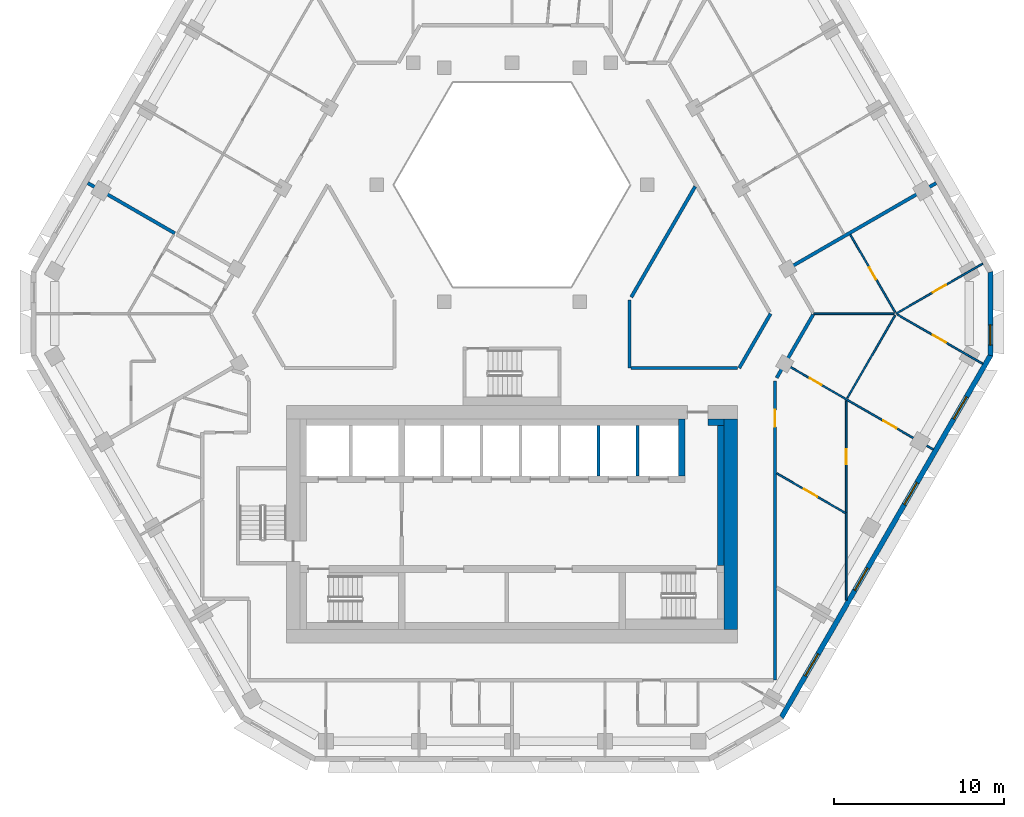
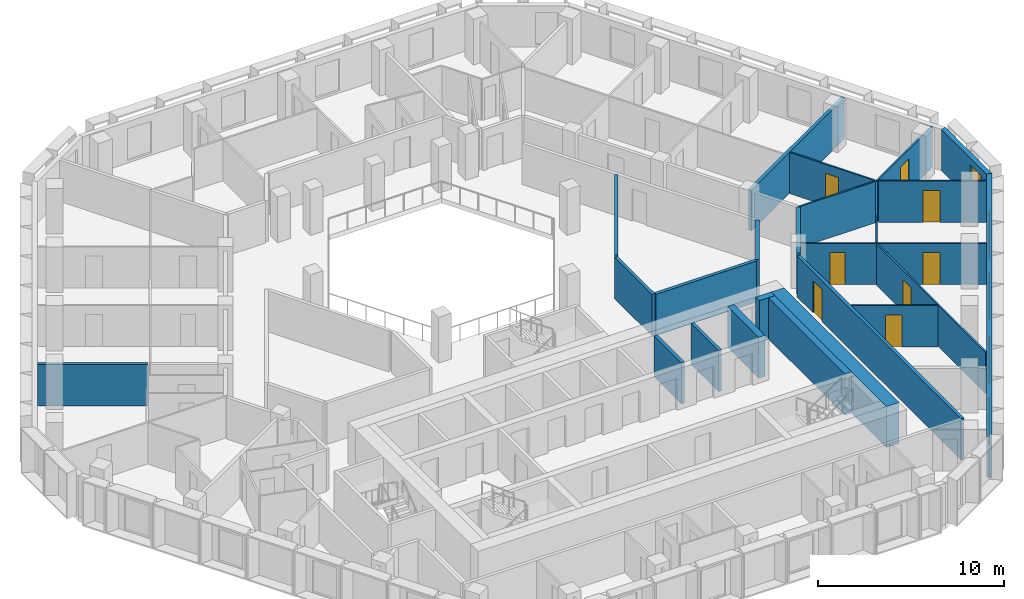
# One storey, part 6 of 15: 24 walls, 8 doors, 5 windows, 13 openings.
"""IFC4 building model written with IfcOpenShell, lengths in metres."""

from ifc_helpers import new_model, si_unit, direction, frame, frame_2d, origin, place, context, subcontext, project, spatial, polyline, rectangle, outline, extrude, material, layer, layer_set, type_object, element, fill, save


model = new_model("IFC4")

# Units and contexts
model_context = context("Model", 3, precision=1e-05, world=origin(), true_north=direction((0.0, 1.0)))
body_context = subcontext(model_context, "Body", "Model", "MODEL_VIEW")
ifc_project = project(units=[si_unit("LENGTHUNIT", "METRE"), si_unit("AREAUNIT", "SQUARE_METRE"), si_unit("VOLUMEUNIT", "CUBIC_METRE"), si_unit("PLANEANGLEUNIT", "RADIAN"), si_unit("MASSUNIT", "GRAM", prefix="KILO")], contexts=[model_context])

# Site, building, storey
site_placement = place(None, origin())
site = spatial("IfcSite", under=ifc_project, at=site_placement, CompositionType="ELEMENT")
building_placement = place(site_placement, origin())
building = spatial("IfcBuilding", under=site, at=building_placement, Name="Beryl Residences", CompositionType="ELEMENT")
storey_placement = place(building_placement, frame((0.0, 0.0, 117.60009765625)))
storey = spatial("IfcBuildingStorey", under=building, at=storey_placement, Name="L35", CompositionType="ELEMENT", Elevation=117.60009765625)

# Wall, openings, windows
ifc_material_1 = material(Name="Composite metal panel with mineral wool insulation")
ifc_layer_1 = layer(ifc_material_1, 0.300048828125)
ifc_layer_set_1 = layer_set([ifc_layer_1], Name="ES1 pale metal composite panel wall 300 mm")
wall_type_1 = type_object("IfcWallType", Name="ES1 pale metal composite panel wall 300 mm", PredefinedType="SOLIDWALL", material=ifc_layer_set_1)
wall_1_placement = place(storey_placement, frame((15.862060546875, -23.425048828125, 0.0), z_axis=(0.0, 0.0, 1.0), x_axis=(0.500017503135, 0.866015298109, 0.0)))
wall_1 = element("IfcWall", 1, at=wall_1_placement, inside=storey, type_object=wall_type_1, Name="ES1 external wall L35 SE", PredefinedType="SOLIDWALL", context=body_context, shape_type="SweptSolid", body=[
    extrude(outline(polyline([(0.0, -0.14990234375), (24.7109375, -0.14990234375), (24.630615234375, 0.14990234375), (0.080322265625, 0.14990234375), (0.0, -0.14990234375)])), origin(), (0.0, 0.0, 1.0), 2.699951171875),
])
opening_1_placement = place(wall_1_placement, frame((2.85693359375, 0.0, 0.14990234375)))
opening_1 = element("IfcOpeningElement", 2, at=opening_1_placement, cuts=wall_1, Name="Opening W1", PredefinedType="OPENING", context=body_context, shape_type="SweptSolid", body=[
    extrude(rectangle(XDim=1.5, YDim=2.10009765625, at=frame_2d((0.75, 1.050048828125))), frame((0.0, 0.159912109375, 0.0), z_axis=(0.0, -1.0, 0.0), x_axis=(1.0, 0.0, 0.0)), (0.0, 0.0, 1.0), 0.320068359375),
])
opening_2_placement = place(wall_1_placement, frame((8.68896484375, 0.0, 0.14990234375)))
opening_2 = element("IfcOpeningElement", 3, at=opening_2_placement, cuts=wall_1, Name="Opening W1", PredefinedType="OPENING", context=body_context, shape_type="SweptSolid", body=[
    extrude(rectangle(XDim=1.5, YDim=2.10009765625, at=frame_2d((0.75, 1.050048828125))), frame((0.0, 0.159912109375, 0.0), z_axis=(0.0, -1.0, 0.0), x_axis=(1.0, 0.0, 0.0)), (0.0, 0.0, 1.0), 0.320068359375),
])
opening_3_placement = place(wall_1_placement, frame((14.52001953125, 0.0, 0.14990234375)))
opening_3 = element("IfcOpeningElement", 4, at=opening_3_placement, cuts=wall_1, Name="Opening W1", PredefinedType="OPENING", context=body_context, shape_type="SweptSolid", body=[
    extrude(rectangle(XDim=1.5, YDim=2.10009765625, at=frame_2d((0.75, 1.050048828125))), frame((0.0, 0.159912109375, 0.0), z_axis=(0.0, -1.0, 0.0), x_axis=(1.0, 0.0, 0.0)), (0.0, 0.0, 1.0), 0.320068359375),
])
opening_4_placement = place(wall_1_placement, frame((20.35107421875, 0.0, 0.14990234375)))
opening_4 = element("IfcOpeningElement", 5, at=opening_4_placement, cuts=wall_1, Name="Opening W1", PredefinedType="OPENING", context=body_context, shape_type="SweptSolid", body=[
    extrude(rectangle(XDim=1.5, YDim=2.10009765625, at=frame_2d((0.75, 1.050048828125))), frame((0.0, 0.159912109375, 0.0), z_axis=(0.0, -1.0, 0.0), x_axis=(1.0, 0.0, 0.0)), (0.0, 0.0, 1.0), 0.320068359375),
])
ifc_material_2 = material(Name="Aluminium and clear glass", Category="aluminium")
window_type_1 = type_object("IfcWindowType", Name="W1 cell window 1500 x 2100 mm", PartitioningType="SINGLE_PANEL", PredefinedType="WINDOW", material=ifc_material_2)
window_1_placement = place(opening_1_placement, origin())
window_1 = element("IfcWindow", 6, at=window_1_placement, inside=storey, type_object=window_type_1, Name="W1 window L35 SE 2", OverallHeight=2.10009765625, OverallWidth=1.5, PartitioningType="SINGLE_PANEL", PredefinedType="WINDOW", context=body_context, shape_type="SweptSolid", body=[
    extrude(rectangle(XDim=1.5, YDim=2.10009765625, at=frame_2d((0.75, 1.050048828125))), frame((0.0, 0.030029296875, 0.0), z_axis=(0.0, -1.0, 0.0), x_axis=(1.0, 0.0, 0.0)), (0.0, 0.0, 1.0), 0.06005859375),
])
fill(opening_1, window_1)
window_2_placement = place(opening_2_placement, origin())
window_2 = element("IfcWindow", 7, at=window_2_placement, inside=storey, type_object=window_type_1, Name="W1 window L35 SE 4", OverallHeight=2.10009765625, OverallWidth=1.5, PartitioningType="SINGLE_PANEL", PredefinedType="WINDOW", context=body_context, shape_type="SweptSolid", body=[
    extrude(rectangle(XDim=1.5, YDim=2.10009765625, at=frame_2d((0.75, 1.050048828125))), frame((0.0, 0.030029296875, 0.0), z_axis=(0.0, -1.0, 0.0), x_axis=(1.0, 0.0, 0.0)), (0.0, 0.0, 1.0), 0.06005859375),
])
fill(opening_2, window_2)
window_3_placement = place(opening_3_placement, origin())
window_3 = element("IfcWindow", 8, at=window_3_placement, inside=storey, type_object=window_type_1, Name="W1 window L35 SE 6", OverallHeight=2.10009765625, OverallWidth=1.5, PartitioningType="SINGLE_PANEL", PredefinedType="WINDOW", context=body_context, shape_type="SweptSolid", body=[
    extrude(rectangle(XDim=1.5, YDim=2.10009765625, at=frame_2d((0.75, 1.050048828125))), frame((0.0, 0.030029296875, 0.0), z_axis=(0.0, -1.0, 0.0), x_axis=(1.0, 0.0, 0.0)), (0.0, 0.0, 1.0), 0.06005859375),
])
fill(opening_3, window_3)
window_4_placement = place(opening_4_placement, origin())
window_4 = element("IfcWindow", 9, at=window_4_placement, inside=storey, type_object=window_type_1, Name="W1 window L35 SE 8", OverallHeight=2.10009765625, OverallWidth=1.5, PartitioningType="SINGLE_PANEL", PredefinedType="WINDOW", context=body_context, shape_type="SweptSolid", body=[
    extrude(rectangle(XDim=1.5, YDim=2.10009765625, at=frame_2d((0.75, 1.050048828125))), frame((0.0, 0.030029296875, 0.0), z_axis=(0.0, -1.0, 0.0), x_axis=(1.0, 0.0, 0.0)), (0.0, 0.0, 1.0), 0.06005859375),
])
fill(opening_4, window_4)

# Wall, opening, window
wall_2_placement = place(storey_placement, frame((28.197998046875, -2.10009765625, 0.0), z_axis=(0.0, 0.0, 1.0), x_axis=(0.0, 1.0, 0.0)))
wall_2 = element("IfcWall", 10, at=wall_2_placement, inside=storey, type_object=wall_type_1, Name="ES1 external wall L35 SE-NE", PredefinedType="SOLIDWALL", context=body_context, shape_type="SweptSolid", body=[
    extrude(outline(polyline([(0.0, -0.14990234375), (5.0, -0.14990234375), (4.919677734375, 0.14990234375), (0.080322265625, 0.14990234375), (0.0, -0.14990234375)])), origin(), (0.0, 0.0, 1.0), 2.699951171875),
])
opening_5_placement = place(wall_2_placement, frame((0.64990234375, 0.0, 0.14990234375)))
opening_5 = element("IfcOpeningElement", 11, at=opening_5_placement, cuts=wall_2, Name="Opening W2", PredefinedType="OPENING", context=body_context, shape_type="SweptSolid", body=[
    extrude(rectangle(XDim=1.199951171875, YDim=2.10009765625, at=frame_2d((0.60009765625, 1.050048828125))), frame((0.0, 0.159912109375, 0.0), z_axis=(0.0, -1.0, 0.0), x_axis=(1.0, 0.0, 0.0)), (0.0, 0.0, 1.0), 0.320068359375),
])
ifc_material_3 = material(Name="Aluminium and clear glass", Category="aluminium")
window_type_2 = type_object("IfcWindowType", Name="W2 chamfer window 1200 x 2100 mm", PartitioningType="SINGLE_PANEL", PredefinedType="WINDOW", material=ifc_material_3)
window_5_placement = place(opening_5_placement, origin())
window_5 = element("IfcWindow", 12, at=window_5_placement, inside=storey, type_object=window_type_2, Name="W2 window L35 SE-NE 1", OverallHeight=2.10009765625, OverallWidth=1.199951171875, PartitioningType="SINGLE_PANEL", PredefinedType="WINDOW", context=body_context, shape_type="SweptSolid", body=[
    extrude(rectangle(XDim=1.199951171875, YDim=2.10009765625, at=frame_2d((0.60009765625, 1.050048828125))), frame((0.0, 0.030029296875, 0.0), z_axis=(0.0, -1.0, 0.0), x_axis=(1.0, 0.0, 0.0)), (0.0, 0.0, 1.0), 0.06005859375),
])
fill(opening_5, window_5)

# Wall, opening, door
ifc_material_4 = material(Name="Gypsum board partition on steel studs", Category="steel")
ifc_layer_2 = layer(ifc_material_4, 0.10009765625)
ifc_layer_set_2 = layer_set([ifc_layer_2], Name="PT1 partition 100 mm gypsum board on steel studs")
wall_type_2 = type_object("IfcWallType", Name="PT1 partition 100 mm gypsum board on steel studs", PredefinedType="PARTITIONING", material=ifc_layer_set_2)
wall_3_placement = place(storey_placement, frame((19.93994140625, 5.06298828125, 0.0), z_axis=(0.0, 0.0, 1.0), x_axis=(0.500025085526, -0.866010920165, 0.0)))
wall_3 = element("IfcWall", 13, at=wall_3_placement, inside=storey, type_object=wall_type_2, Name="Wall PT1 L35 004", PredefinedType="PARTITIONING", context=body_context, shape_type="SweptSolid", body=[
    extrude(rectangle(XDim=5.283935546875, YDim=0.10009765625, at=frame_2d((2.64208984375, 0.0))), origin(), (0.0, 0.0, 1.0), 2.699951171875),
])
opening_6_placement = place(wall_3_placement, frame((2.241943359375, 0.0, 0.0)))
opening_6 = element("IfcOpeningElement", 14, at=opening_6_placement, cuts=wall_3, Name="Opening D1218", PredefinedType="OPENING", context=body_context, shape_type="SweptSolid", body=[
    extrude(rectangle(XDim=0.800048828125, YDim=2.10009765625, at=frame_2d((0.39990234375, 1.050048828125))), frame((0.0, 0.06005859375, 0.0), z_axis=(0.0, -1.0, 0.0), x_axis=(1.0, 0.0, 0.0)), (0.0, 0.0, 1.0), 0.1201171875),
])
ifc_material_5 = material(Name="Timber door leaf", Category="wood")
door_type_1 = type_object("IfcDoorType", Name="D3 bathroom door 800 x 2100 mm", OperationType="SINGLE_SWING_LEFT", PredefinedType="DOOR", material=ifc_material_5)
door_1_placement = place(opening_6_placement, origin())
door_1 = element("IfcDoor", 15, at=door_1_placement, inside=storey, type_object=door_type_1, Name="Door D1218 L35 001", OperationType="SINGLE_SWING_RIGHT", OverallHeight=2.10009765625, OverallWidth=0.800048828125, PredefinedType="DOOR", context=body_context, shape_type="SweptSolid", body=[
    extrude(rectangle(XDim=0.800048828125, YDim=2.10009765625, at=frame_2d((0.39990234375, 1.050048828125))), frame((0.0, 0.02490234375, 0.0), z_axis=(0.0, -1.0, 0.0), x_axis=(1.0, 0.0, 0.0)), (0.0, 0.0, 1.0), 0.050048828125),
])
fill(opening_6, door_1)

wall_4_placement = place(storey_placement, frame((15.60009765625, -9.008056640625, 0.0), z_axis=(0.0, 0.0, 1.0), x_axis=(0.866049960314, -0.49995746443, 0.0)))
wall_4 = element("IfcWall", 16, at=wall_4_placement, inside=storey, type_object=wall_type_2, Name="Wall PT1 L35 016", PredefinedType="PARTITIONING", context=body_context, shape_type="SweptSolid", body=[
    extrude(rectangle(XDim=4.67626953125, YDim=0.10009765625, at=frame_2d((2.338134765625, 0.0))), origin(), (0.0, 0.0, 1.0), 2.699951171875),
])
opening_7_placement = place(wall_4_placement, frame((1.85888671875, 0.0, 0.0)))
opening_7 = element("IfcOpeningElement", 17, at=opening_7_placement, cuts=wall_4, Name="Opening D1213", PredefinedType="OPENING", context=body_context, shape_type="SweptSolid", body=[
    extrude(rectangle(XDim=0.89990234375, YDim=2.10009765625, at=frame_2d((0.449951171875, 1.050048828125))), frame((0.0, 0.06005859375, 0.0), z_axis=(0.0, -1.0, 0.0), x_axis=(1.0, 0.0, 0.0)), (0.0, 0.0, 1.0), 0.1201171875),
])
ifc_material_6 = material(Name="Timber door leaf", Category="wood")
door_type_2 = type_object("IfcDoorType", Name="D2 room door 900 x 2100 mm", OperationType="SINGLE_SWING_LEFT", PredefinedType="DOOR", material=ifc_material_6)
door_2_placement = place(opening_7_placement, origin())
door_2 = element("IfcDoor", 18, at=door_2_placement, inside=storey, type_object=door_type_2, Name="Door D1213 L35 001", OperationType="SINGLE_SWING_LEFT", OverallHeight=2.10009765625, OverallWidth=0.89990234375, PredefinedType="DOOR", context=body_context, shape_type="SweptSolid", body=[
    extrude(rectangle(XDim=0.89990234375, YDim=2.10009765625, at=frame_2d((0.449951171875, 1.050048828125))), frame((0.0, 0.02490234375, 0.0), z_axis=(0.0, -1.0, 0.0), x_axis=(1.0, 0.0, 0.0)), (0.0, 0.0, 1.0), 0.050048828125),
])
fill(opening_7, door_2)

# Wall, openings, doors
wall_5_placement = place(storey_placement, frame((16.1650390625, -2.60107421875, 0.0), z_axis=(0.0, 0.0, 1.0), x_axis=(0.866016855193, -0.500014806302, 0.0)))
wall_5 = element("IfcWall", 19, at=wall_5_placement, inside=storey, type_object=wall_type_2, Name="Wall PT1 L35 018", PredefinedType="PARTITIONING", context=body_context, shape_type="SweptSolid", body=[
    extrude(rectangle(XDim=9.999755859375, YDim=0.10009765625, at=frame_2d((5.0, 0.0))), origin(), (0.0, 0.0, 1.0), 2.699951171875),
])
opening_8_placement = place(wall_5_placement, frame((1.60009765625, 0.0, 0.0)))
opening_8 = element("IfcOpeningElement", 20, at=opening_8_placement, cuts=wall_5, Name="Opening D1214", PredefinedType="OPENING", context=body_context, shape_type="SweptSolid", body=[
    extrude(rectangle(XDim=0.800048828125, YDim=2.10009765625, at=frame_2d((0.39990234375, 1.050048828125))), frame((0.0, 0.06005859375, 0.0), z_axis=(0.0, -1.0, 0.0), x_axis=(1.0, 0.0, 0.0)), (0.0, 0.0, 1.0), 0.1201171875),
])
opening_9_placement = place(wall_5_placement, frame((6.60009765625, 0.0, 0.0)))
opening_9 = element("IfcOpeningElement", 21, at=opening_9_placement, cuts=wall_5, Name="Opening D1215", PredefinedType="OPENING", context=body_context, shape_type="SweptSolid", body=[
    extrude(rectangle(XDim=0.89990234375, YDim=2.10009765625, at=frame_2d((0.449951171875, 1.050048828125))), frame((0.0, 0.06005859375, 0.0), z_axis=(0.0, -1.0, 0.0), x_axis=(1.0, 0.0, 0.0)), (0.0, 0.0, 1.0), 0.1201171875),
])
door_3_placement = place(opening_9_placement, origin())
door_3 = element("IfcDoor", 22, at=door_3_placement, inside=storey, type_object=door_type_2, Name="Door D1215 L35 001", OperationType="SINGLE_SWING_LEFT", OverallHeight=2.10009765625, OverallWidth=0.89990234375, PredefinedType="DOOR", context=body_context, shape_type="SweptSolid", body=[
    extrude(rectangle(XDim=0.89990234375, YDim=2.10009765625, at=frame_2d((0.449951171875, 1.050048828125))), frame((0.0, 0.02490234375, 0.0), z_axis=(0.0, -1.0, 0.0), x_axis=(1.0, 0.0, 0.0)), (0.0, 0.0, 1.0), 0.050048828125),
])
fill(opening_9, door_3)
door_4_placement = place(opening_8_placement, origin())
door_4 = element("IfcDoor", 23, at=door_4_placement, inside=storey, type_object=door_type_1, Name="Door D1214 L35 001", OperationType="SINGLE_SWING_RIGHT", OverallHeight=2.10009765625, OverallWidth=0.800048828125, PredefinedType="DOOR", context=body_context, shape_type="SweptSolid", body=[
    extrude(rectangle(XDim=0.800048828125, YDim=2.10009765625, at=frame_2d((0.39990234375, 1.050048828125))), frame((0.0, 0.02490234375, 0.0), z_axis=(0.0, -1.0, 0.0), x_axis=(1.0, 0.0, 0.0)), (0.0, 0.0, 1.0), 0.050048828125),
])
fill(opening_8, door_4)

# Wall, opening, door
wall_6_placement = place(storey_placement, frame((22.718017578125, 0.34912109375, 0.0), z_axis=(0.0, 0.0, 1.0), x_axis=(0.86601454848, -0.500018801468, 0.0)))
wall_6 = element("IfcWall", 24, at=wall_6_placement, inside=storey, type_object=wall_type_2, Name="Wall PT1 L35 019", PredefinedType="PARTITIONING", context=body_context, shape_type="SweptSolid", body=[
    extrude(rectangle(XDim=5.800048828125, YDim=0.10009765625, at=frame_2d((2.89990234375, 0.0))), origin(), (0.0, 0.0, 1.0), 2.699951171875),
])
opening_10_placement = place(wall_6_placement, frame((2.39990234375, 0.0, 0.0)))
opening_10 = element("IfcOpeningElement", 25, at=opening_10_placement, cuts=wall_6, Name="Opening D1216", PredefinedType="OPENING", context=body_context, shape_type="SweptSolid", body=[
    extrude(rectangle(XDim=0.89990234375, YDim=2.10009765625, at=frame_2d((0.449951171875, 1.050048828125))), frame((0.0, 0.06005859375, 0.0), z_axis=(0.0, -1.0, 0.0), x_axis=(1.0, 0.0, 0.0)), (0.0, 0.0, 1.0), 0.1201171875),
])
door_5_placement = place(opening_10_placement, origin())
door_5 = element("IfcDoor", 26, at=door_5_placement, inside=storey, type_object=door_type_2, Name="Door D1216 L35 001", OperationType="SINGLE_SWING_RIGHT", OverallHeight=2.10009765625, OverallWidth=0.89990234375, PredefinedType="DOOR", context=body_context, shape_type="SweptSolid", body=[
    extrude(rectangle(XDim=0.89990234375, YDim=2.10009765625, at=frame_2d((0.449951171875, 1.050048828125))), frame((0.0, 0.02490234375, 0.0), z_axis=(0.0, -1.0, 0.0), x_axis=(1.0, 0.0, 0.0)), (0.0, 0.0, 1.0), 0.050048828125),
])
fill(opening_10, door_5)

# Walls
wall_7_placement = place(storey_placement, frame((17.781982421875, 0.40087890625, 0.0), z_axis=(0.0, 0.0, 1.0), x_axis=(1.0, 0.0, 0.0)))
element("IfcWall", 27, at=wall_7_placement, inside=storey, type_object=wall_type_2, Name="Wall PT1 L35 024", PredefinedType="PARTITIONING", context=body_context, shape_type="SweptSolid", body=[
    extrude(rectangle(XDim=4.7470703125, YDim=0.10009765625, at=frame_2d((2.37353515625, 0.0))), origin(), (0.0, 0.0, 1.0), 2.699951171875),
])
wall_8_placement = place(storey_placement, frame((19.764892578125, -4.56396484375, 0.0), z_axis=(0.0, 0.0, 1.0), x_axis=(0.500060182325, 0.865990654714, 0.0)))
element("IfcWall", 28, at=wall_8_placement, inside=storey, type_object=wall_type_2, Name="Wall PT1 L35 029", PredefinedType="PARTITIONING", context=body_context, shape_type="SweptSolid", body=[
    extrude(rectangle(XDim=5.631591796875, YDim=0.10009765625, at=frame_2d((2.81591796875, 0.0))), origin(), (0.0, 0.0, 1.0), 2.699951171875),
])

# Wall, opening, door
wall_9_placement = place(storey_placement, frame((19.699951171875, -16.47705078125, 0.0), z_axis=(0.0, 0.0, 1.0), x_axis=(0.0, 1.0, 0.0)))
wall_9 = element("IfcWall", 29, at=wall_9_placement, inside=storey, type_object=wall_type_2, Name="Wall PT1 L35 042", PredefinedType="PARTITIONING", context=body_context, shape_type="SweptSolid", body=[
    extrude(rectangle(XDim=11.741943359375, YDim=0.10009765625, at=frame_2d((5.87109375, 0.0))), origin(), (0.0, 0.0, 1.0), 2.699951171875),
])
opening_11_placement = place(wall_9_placement, frame((7.990966796875, 0.0, 0.0)))
opening_11 = element("IfcOpeningElement", 30, at=opening_11_placement, cuts=wall_9, Name="Opening D1212", PredefinedType="OPENING", context=body_context, shape_type="SweptSolid", body=[
    extrude(rectangle(XDim=0.89990234375, YDim=2.10009765625, at=frame_2d((0.449951171875, 1.050048828125))), frame((0.0, 0.06005859375, 0.0), z_axis=(0.0, -1.0, 0.0), x_axis=(1.0, 0.0, 0.0)), (0.0, 0.0, 1.0), 0.1201171875),
])
door_6_placement = place(opening_11_placement, origin())
door_6 = element("IfcDoor", 31, at=door_6_placement, inside=storey, type_object=door_type_2, Name="Door D1212 L35 001", OperationType="SINGLE_SWING_RIGHT", OverallHeight=2.10009765625, OverallWidth=0.89990234375, PredefinedType="DOOR", context=body_context, shape_type="SweptSolid", body=[
    extrude(rectangle(XDim=0.89990234375, YDim=2.10009765625, at=frame_2d((0.449951171875, 1.050048828125))), frame((0.0, 0.02490234375, 0.0), z_axis=(0.0, -1.0, 0.0), x_axis=(1.0, 0.0, 0.0)), (0.0, 0.0, 1.0), 0.050048828125),
])
fill(opening_11, door_6)

wall_10_placement = place(storey_placement, frame((22.634033203125, 0.40087890625, 0.0), z_axis=(0.0, 0.0, 1.0), x_axis=(0.86601325737, 0.500021037617, 0.0)))
wall_10 = element("IfcWall", 32, at=wall_10_placement, inside=storey, type_object=wall_type_2, Name="Wall PT1 L35 049", PredefinedType="PARTITIONING", context=body_context, shape_type="SweptSolid", body=[
    extrude(rectangle(XDim=5.898193359375, YDim=0.10009765625, at=frame_2d((2.94921875, 0.0))), origin(), (0.0, 0.0, 1.0), 2.699951171875),
])
opening_12_placement = place(wall_10_placement, frame((2.4990234375, 0.0, 0.0)))
opening_12 = element("IfcOpeningElement", 33, at=opening_12_placement, cuts=wall_10, Name="Opening D1217", PredefinedType="OPENING", context=body_context, shape_type="SweptSolid", body=[
    extrude(rectangle(XDim=0.89990234375, YDim=2.10009765625, at=frame_2d((0.449951171875, 1.050048828125))), frame((0.0, 0.06005859375, 0.0), z_axis=(0.0, -1.0, 0.0), x_axis=(1.0, 0.0, 0.0)), (0.0, 0.0, 1.0), 0.1201171875),
])
door_7_placement = place(opening_12_placement, origin())
door_7 = element("IfcDoor", 34, at=door_7_placement, inside=storey, type_object=door_type_2, Name="Door D1217 L35 001", OperationType="SINGLE_SWING_LEFT", OverallHeight=2.10009765625, OverallWidth=0.89990234375, PredefinedType="DOOR", context=body_context, shape_type="SweptSolid", body=[
    extrude(rectangle(XDim=0.89990234375, YDim=2.10009765625, at=frame_2d((0.449951171875, 1.050048828125))), frame((0.0, 0.02490234375, 0.0), z_axis=(0.0, -1.0, 0.0), x_axis=(1.0, 0.0, 0.0)), (0.0, 0.0, 1.0), 0.050048828125),
])
fill(opening_12, door_7)

# Walls
ifc_material_7 = material(Name="Concrete masonry", Category="masonry")
ifc_layer_3 = layer(ifc_material_7, 0.39990234375)
ifc_layer_set_3 = layer_set([ifc_layer_3], Name="PT13-400 lobby wall 400 mm")
wall_type_3 = type_object("IfcWallType", Name="PT13-400 lobby wall 400 mm", PredefinedType="PARTITIONING", material=ifc_layer_set_3)
wall_11_placement = place(storey_placement, frame((11.550048828125, -6.0, 0.0), z_axis=(0.0, 0.0, 1.0), x_axis=(1.0, 0.0, 0.0)))
element("IfcWall", 35, at=wall_11_placement, inside=storey, type_object=wall_type_3, Name="Lobby wall 22", PredefinedType="PARTITIONING", context=body_context, shape_type="SweptSolid", body=[
    extrude(rectangle(XDim=0.949951171875, YDim=0.39990234375, at=frame_2d((0.47509765625, 0.0))), origin(), (0.0, 0.0, 1.0), 2.699951171875),
])
wall_12_placement = place(storey_placement, frame((12.300048828125, -14.449951171875, 0.0), z_axis=(0.0, 0.0, 1.0), x_axis=(0.0, 1.0, 0.0)))
element("IfcWall", 36, at=wall_12_placement, inside=storey, type_object=wall_type_3, Name="Lobby wall 24", PredefinedType="PARTITIONING", context=body_context, shape_type="SweptSolid", body=[
    extrude(rectangle(XDim=8.25, YDim=0.39990234375, at=frame_2d((4.125, 0.0))), origin(), (0.0, 0.0, 1.0), 2.699951171875),
])
ifc_material_8 = material(Name="Acoustic double stud gypsum board wall")
ifc_layer_4 = layer(ifc_material_8, 0.199951171875)
ifc_layer_set_4 = layer_set([ifc_layer_4], Name="PT3 party wall 200 mm acoustic double stud")
wall_type_4 = type_object("IfcWallType", Name="PT3 party wall 200 mm acoustic double stud", PredefinedType="PARTITIONING", material=ifc_layer_set_4)
wall_13_placement = place(storey_placement, frame((-24.9990234375, 8.10009765625, 0.0), z_axis=(0.0, 0.0, 1.0), x_axis=(0.866013897511, -0.50001992892, 0.0)))
element("IfcWall", 37, at=wall_13_placement, inside=storey, type_object=wall_type_4, Name="Wall PT3 L35 005", PredefinedType="PARTITIONING", context=body_context, shape_type="SweptSolid", body=[
    extrude(rectangle(XDim=5.920166015625, YDim=0.199951171875, at=frame_2d((2.9599609375, 0.0))), origin(), (0.0, 0.0, 1.0), 2.699951171875),
])
wall_14_placement = place(storey_placement, frame((16.339111328125, 3.10009765625, 0.0), z_axis=(0.0, 0.0, 1.0), x_axis=(0.866016855193, 0.500014806302, 0.0)))
element("IfcWall", 38, at=wall_14_placement, inside=storey, type_object=wall_type_4, Name="Wall PT3 L35 011", PredefinedType="PARTITIONING", context=body_context, shape_type="SweptSolid", body=[
    extrude(rectangle(XDim=9.999755859375, YDim=0.199951171875, at=frame_2d((5.0, 0.0))), origin(), (0.0, 0.0, 1.0), 2.699951171875),
])
ifc_material_9 = material(Name="Double stud gypsum board wall")
ifc_layer_5 = layer(ifc_material_9, 0.199951171875)
ifc_layer_set_5 = layer_set([ifc_layer_5], Name="PT4 corridor wall 200 mm double stud")
wall_type_5 = type_object("IfcWallType", Name="PT4 corridor wall 200 mm double stud", PredefinedType="PARTITIONING", material=ifc_layer_set_5)
wall_15_placement = place(storey_placement, frame((7.028076171875, -2.800048828125, 0.0), z_axis=(0.0, 0.0, 1.0), x_axis=(1.0, 0.0, 0.0)))
element("IfcWall", 39, at=wall_15_placement, inside=storey, type_object=wall_type_5, Name="Wall PT4 L35 014", PredefinedType="PARTITIONING", context=body_context, shape_type="SweptSolid", body=[
    extrude(rectangle(XDim=6.25, YDim=0.199951171875, at=frame_2d((3.125, 0.0))), origin(), (0.0, 0.0, 1.0), 2.699951171875),
])
wall_16_placement = place(storey_placement, frame((7.028076171875, 1.373046875, 0.0), z_axis=(0.0, 0.0, 1.0), x_axis=(0.499954271211, 0.866051803703, 0.0)))
element("IfcWall", 40, at=wall_16_placement, inside=storey, type_object=wall_type_5, Name="Wall PT4 L35 018", PredefinedType="PARTITIONING", context=body_context, shape_type="SweptSolid", body=[
    extrude(rectangle(XDim=7.536376953125, YDim=0.199951171875, at=frame_2d((3.76806640625, 0.0))), origin(), (0.0, 0.0, 1.0), 2.699951171875),
])
wall_17_placement = place(storey_placement, frame((13.39404296875, -2.800048828125, 0.0), z_axis=(0.0, 0.0, 1.0), x_axis=(0.499968324138, 0.866043691079, 0.0)))
element("IfcWall", 41, at=wall_17_placement, inside=storey, type_object=wall_type_5, Name="Wall PT4 L35 019", PredefinedType="PARTITIONING", context=body_context, shape_type="SweptSolid", body=[
    extrude(rectangle(XDim=3.696044921875, YDim=0.199951171875, at=frame_2d((1.84814453125, 0.0))), origin(), (0.0, 0.0, 1.0), 2.699951171875),
])
wall_18_placement = place(storey_placement, frame((15.60009765625, -3.37890625, 0.0), z_axis=(0.0, 0.0, 1.0), x_axis=(0.499882759391, 0.866093082101, 0.0)))
element("IfcWall", 42, at=wall_18_placement, inside=storey, type_object=wall_type_5, Name="Wall PT4 L35 020", PredefinedType="PARTITIONING", context=body_context, shape_type="SweptSolid", body=[
    extrude(rectangle(XDim=4.306640625, YDim=0.199951171875, at=frame_2d((2.1533203125, 0.0))), origin(), (0.0, 0.0, 1.0), 2.699951171875),
])
wall_19_placement = place(storey_placement, frame((6.927978515625, -2.800048828125, 0.0), z_axis=(0.0, 0.0, 1.0), x_axis=(0.0, 1.0, 0.0)))
element("IfcWall", 43, at=wall_19_placement, inside=storey, type_object=wall_type_5, Name="Wall PT4 L35 024", PredefinedType="PARTITIONING", context=body_context, shape_type="SweptSolid", body=[
    extrude(rectangle(XDim=4.0, YDim=0.199951171875, at=frame_2d((2.0, 0.0))), origin(), (0.0, 0.0, 1.0), 2.699951171875),
])

# Wall, opening, door
wall_20_placement = place(storey_placement, frame((15.5, -21.198974609375, 0.0), z_axis=(0.0, 0.0, 1.0), x_axis=(0.0, 1.0, 0.0)))
wall_20 = element("IfcWall", 44, at=wall_20_placement, inside=storey, type_object=wall_type_5, Name="Wall PT4 L35 025", PredefinedType="PARTITIONING", context=body_context, shape_type="SweptSolid", body=[
    extrude(rectangle(XDim=17.64697265625, YDim=0.199951171875, at=frame_2d((8.823486328125, 0.0))), origin(), (0.0, 0.0, 1.0), 2.699951171875),
])
opening_13_placement = place(wall_20_placement, frame((14.93408203125, 0.0, 0.0)))
opening_13 = element("IfcOpeningElement", 45, at=opening_13_placement, cuts=wall_20, Name="Opening D1211", PredefinedType="OPENING", context=body_context, shape_type="SweptSolid", body=[
    extrude(rectangle(XDim=1.0, YDim=2.10009765625, at=frame_2d((0.5, 1.050048828125))), frame((0.0, 0.10986328125, 0.0), z_axis=(0.0, -1.0, 0.0), x_axis=(1.0, 0.0, 0.0)), (0.0, 0.0, 1.0), 0.219970703125),
])
ifc_material_10 = material(Name="Timber door leaf", Category="wood")
door_type_3 = type_object("IfcDoorType", Name="D1 flat entrance door 1000 x 2100 mm", OperationType="SINGLE_SWING_LEFT", PredefinedType="DOOR", material=ifc_material_10)
door_8_placement = place(opening_13_placement, origin())
door_8 = element("IfcDoor", 46, at=door_8_placement, inside=storey, type_object=door_type_3, Name="Door D1211 L35 001", OperationType="SINGLE_SWING_LEFT", OverallHeight=2.10009765625, OverallWidth=1.0, PredefinedType="DOOR", context=body_context, shape_type="SweptSolid", body=[
    extrude(rectangle(XDim=1.0, YDim=2.10009765625, at=frame_2d((0.5, 1.050048828125))), frame((0.0, 0.02490234375, 0.0), z_axis=(0.0, -1.0, 0.0), x_axis=(1.0, 0.0, 0.0)), (0.0, 0.0, 1.0), 0.050048828125),
])
fill(opening_13, door_8)

# Walls
ifc_material_11 = material(Name="Concrete C40/50", Category="concrete")
ifc_layer_6 = layer(ifc_material_11, 0.199951171875)
ifc_layer_set_6 = layer_set([ifc_layer_6], Name="PT6 lift shaft wall 200 mm reinforced concrete C40/50")
wall_type_6 = type_object("IfcWallType", Name="PT6 lift shaft wall 200 mm reinforced concrete C40/50", PredefinedType="SOLIDWALL", material=ifc_layer_set_6)
for number, where, z_axis, x_axis, name in (
    (47, (5.10009765625, -9.14990234375, 0.0), (0.0, 0.0, 1.0), (0.0, 1.0, 0.0), "Lift shaft wall 19"),
    (48, (7.39990234375, -9.14990234375, 0.0), (0.0, 0.0, 1.0), (0.0, 1.0, 0.0), "Lift shaft wall 21"),
):
    element("IfcWall", number, at=place(storey_placement, frame(where, z_axis=z_axis, x_axis=x_axis)), inside=storey, type_object=wall_type_6, Name=name, PredefinedType="SOLIDWALL", context=body_context, shape_type="SweptSolid", body=[
        extrude(rectangle(XDim=2.949951171875, YDim=0.199951171875, at=frame_2d((1.47509765625, 0.0))), origin(), (0.0, 0.0, 1.0), 2.699951171875),
    ])
ifc_material_12 = material(Name="Concrete C60/75", Category="concrete")
ifc_layer_7 = layer(ifc_material_12, 0.800048828125)
ifc_layer_set_7 = layer_set([ifc_layer_7], Name="SW3 core outer wall 800 mm C60/75")
wall_type_7 = type_object("IfcWallType", Name="SW3 core outer wall 800 mm C60/75", PredefinedType="SHEAR", material=ifc_layer_set_7)
wall_21_placement = place(storey_placement, frame((12.89990234375, -18.199951171875, 0.0), z_axis=(0.0, 0.0, 1.0), x_axis=(0.0, 1.0, 0.0)))
element("IfcWall", 49, at=wall_21_placement, inside=storey, type_object=wall_type_7, Name="Core wall E L35", PredefinedType="SHEAR", context=body_context, shape_type="SweptSolid", body=[
    extrude(rectangle(XDim=12.39990234375, YDim=0.800048828125, at=frame_2d((6.199951171875, 0.0))), origin(), (0.0, 0.0, 1.0), 2.699951171875),
])
ifc_material_13 = material(Name="Concrete C60/75", Category="concrete")
ifc_layer_8 = layer(ifc_material_13, 0.39990234375)
ifc_layer_set_8 = layer_set([ifc_layer_8], Name="SW8 core internal wall 400 mm C60/75")
wall_type_8 = type_object("IfcWallType", Name="SW8 core internal wall 400 mm C60/75", PredefinedType="SHEAR", material=ifc_layer_set_8)
wall_22_placement = place(storey_placement, frame((10.0, -9.14990234375, 0.0), z_axis=(0.0, 0.0, 1.0), x_axis=(0.0, 1.0, 0.0)))
element("IfcWall", 50, at=wall_22_placement, inside=storey, type_object=wall_type_8, Name="Core wall XN2 L35", PredefinedType="SHEAR", context=body_context, shape_type="SweptSolid", body=[
    extrude(rectangle(XDim=3.349853515625, YDim=0.39990234375, at=frame_2d((1.6748046875, 0.0))), origin(), (0.0, 0.0, 1.0), 2.699951171875),
])

save(model, "model.ifc")
